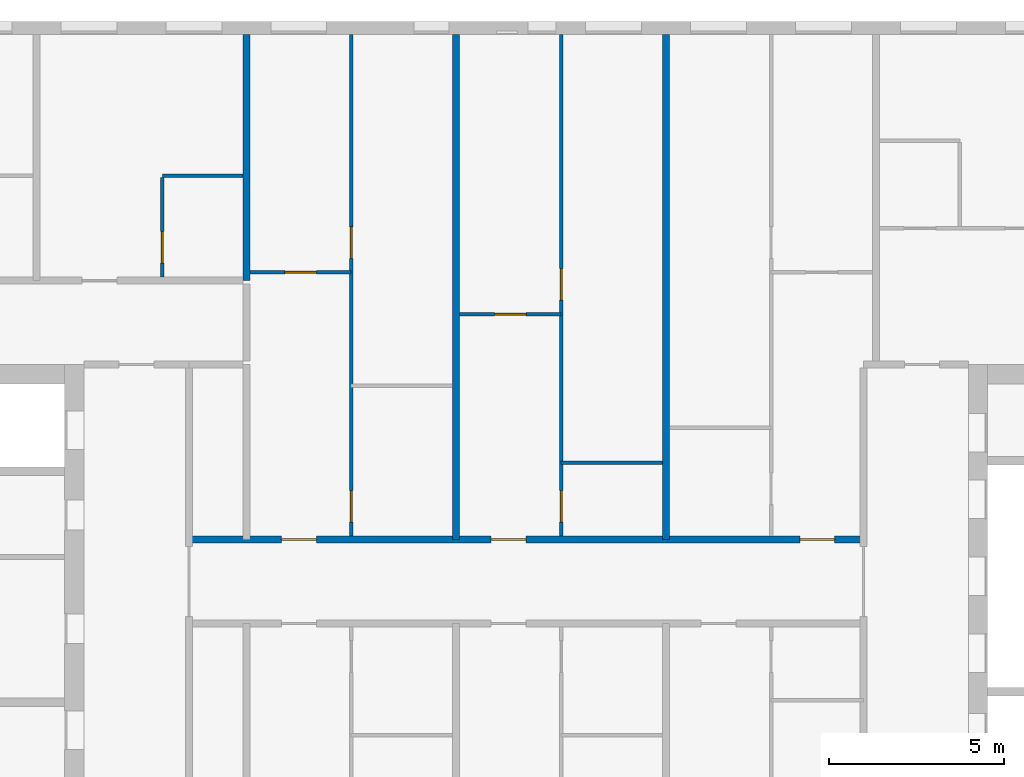
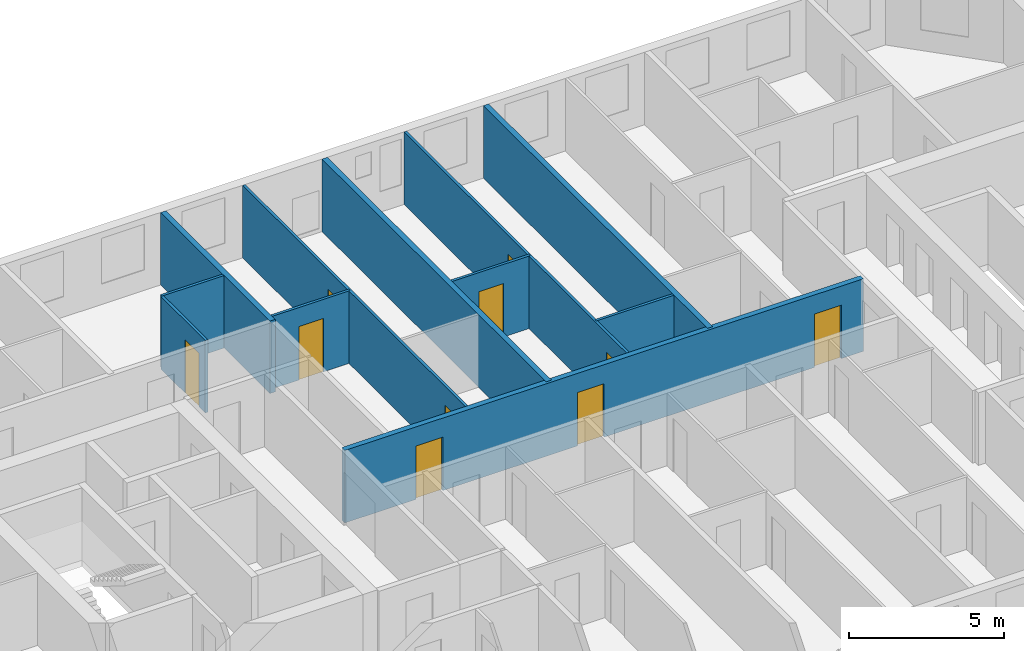
# One storey, part 5 of 16: 11 walls, 10 doors, 10 openings.
"""IFC4 building model written with IfcOpenShell, lengths in metres."""

from ifc_helpers import new_model, si_unit, direction, frame, frame_2d, origin, place, context, subcontext, project, spatial, rectangle, extrude, material, layer, layer_set, type_object, element, fill, save


model = new_model("IFC4")

# Units and contexts
model_context = context("Model", 3, precision=1e-05, world=origin(), true_north=direction((0.0, 1.0)))
body_context = subcontext(model_context, "Body", "Model", "MODEL_VIEW")
ifc_project = project(units=[si_unit("LENGTHUNIT", "METRE"), si_unit("AREAUNIT", "SQUARE_METRE"), si_unit("VOLUMEUNIT", "CUBIC_METRE"), si_unit("PLANEANGLEUNIT", "RADIAN"), si_unit("MASSUNIT", "GRAM", prefix="KILO")], contexts=[model_context])

# Site, building, storey
site_placement = place(None, origin())
site = spatial("IfcSite", under=ifc_project, at=site_placement, CompositionType="ELEMENT")
building_placement = place(site_placement, origin())
building = spatial("IfcBuilding", under=site, at=building_placement, Name="Tuart Gate Housing", CompositionType="ELEMENT")
storey_placement = place(building_placement, frame((0.0, 0.0, 139.199951171875)))
storey = spatial("IfcBuildingStorey", under=building, at=storey_placement, Name="L39", CompositionType="ELEMENT", Elevation=139.199951171875)

# Wall, openings, doors
ifc_material_1 = material(Name="Concrete masonry 15 MPa", Category="masonry")
ifc_layer_1 = layer(ifc_material_1, 0.199951171875)
ifc_layer_set_1 = layer_set([ifc_layer_1], Name="Corridor wall masonry 200")
wall_type_1 = type_object("IfcWallType", Name="Corridor wall masonry 200", PredefinedType="PARTITIONING", material=ifc_layer_set_1)
wall_1_placement = place(storey_placement, frame((44.360107421875, 71.199951171875, 0.0), z_axis=(0.0, 0.0, 1.0), x_axis=(1.0, 0.0, 0.0)))
wall_1 = element("IfcWall", 1, at=wall_1_placement, inside=storey, type_object=wall_type_1, Name="Corridor wall masonry 200", PredefinedType="PARTITIONING", context=body_context, shape_type="SweptSolid", body=[
    extrude(rectangle(XDim=19.27978515625, YDim=0.199951171875, at=frame_2d((9.639892578125, 0.0))), origin(), (0.0, 0.0, 1.0), 2.85009765625),
])
opening_1_placement = place(wall_1_placement, frame((17.4599609375, 0.0, 0.0)))
opening_1 = element("IfcOpeningElement", 2, at=opening_1_placement, cuts=wall_1, Name="Opening D1425", PredefinedType="OPENING", context=body_context, shape_type="SweptSolid", body=[
    extrude(rectangle(XDim=1.0, YDim=2.10009765625, at=frame_2d((0.5, 1.050048828125))), frame((0.0, 0.10986328125, 0.0), z_axis=(0.0, -1.0, 0.0), x_axis=(1.0, 0.0, 0.0)), (0.0, 0.0, 1.0), 0.219970703125),
])
opening_2_placement = place(wall_1_placement, frame((8.639892578125, 0.0, 0.0)))
opening_2 = element("IfcOpeningElement", 3, at=opening_2_placement, cuts=wall_1, Name="Opening D1426", PredefinedType="OPENING", context=body_context, shape_type="SweptSolid", body=[
    extrude(rectangle(XDim=1.0, YDim=2.10009765625, at=frame_2d((0.5, 1.050048828125))), frame((0.0, 0.10986328125, 0.0), z_axis=(0.0, -1.0, 0.0), x_axis=(1.0, 0.0, 0.0)), (0.0, 0.0, 1.0), 0.219970703125),
])
opening_3_placement = place(wall_1_placement, frame((2.639892578125, 0.0, 0.0)))
opening_3 = element("IfcOpeningElement", 4, at=opening_3_placement, cuts=wall_1, Name="Opening D1427", PredefinedType="OPENING", context=body_context, shape_type="SweptSolid", body=[
    extrude(rectangle(XDim=1.0, YDim=2.10009765625, at=frame_2d((0.5, 1.050048828125))), frame((0.0, 0.10986328125, 0.0), z_axis=(0.0, -1.0, 0.0), x_axis=(1.0, 0.0, 0.0)), (0.0, 0.0, 1.0), 0.219970703125),
])
ifc_material_2 = material(Name="Timber door leaf in steel frame", Category="steel")
door_type_1 = type_object("IfcDoorType", Name="Flat entrance door 1000", OperationType="SINGLE_SWING_LEFT", PredefinedType="DOOR", material=ifc_material_2)
door_1_placement = place(opening_1_placement, origin())
door_1 = element("IfcDoor", 5, at=door_1_placement, inside=storey, type_object=door_type_1, Name="Flat entrance door", OperationType="SINGLE_SWING_LEFT", OverallHeight=2.10009765625, OverallWidth=1.0, PredefinedType="DOOR", context=body_context, shape_type="SweptSolid", body=[
    extrude(rectangle(XDim=1.0, YDim=2.10009765625, at=frame_2d((0.5, 1.050048828125))), frame((0.0, 0.02490234375, 0.0), z_axis=(0.0, -1.0, 0.0), x_axis=(1.0, 0.0, 0.0)), (0.0, 0.0, 1.0), 0.050048828125),
])
fill(opening_1, door_1)
door_2_placement = place(opening_2_placement, origin())
door_2 = element("IfcDoor", 6, at=door_2_placement, inside=storey, type_object=door_type_1, Name="Flat entrance door", OperationType="SINGLE_SWING_LEFT", OverallHeight=2.10009765625, OverallWidth=1.0, PredefinedType="DOOR", context=body_context, shape_type="SweptSolid", body=[
    extrude(rectangle(XDim=1.0, YDim=2.10009765625, at=frame_2d((0.5, 1.050048828125))), frame((0.0, 0.02490234375, 0.0), z_axis=(0.0, -1.0, 0.0), x_axis=(1.0, 0.0, 0.0)), (0.0, 0.0, 1.0), 0.050048828125),
])
fill(opening_2, door_2)
door_3_placement = place(opening_3_placement, origin())
door_3 = element("IfcDoor", 7, at=door_3_placement, inside=storey, type_object=door_type_1, Name="Flat entrance door", OperationType="SINGLE_SWING_LEFT", OverallHeight=2.10009765625, OverallWidth=1.0, PredefinedType="DOOR", context=body_context, shape_type="SweptSolid", body=[
    extrude(rectangle(XDim=1.0, YDim=2.10009765625, at=frame_2d((0.5, 1.050048828125))), frame((0.0, 0.02490234375, 0.0), z_axis=(0.0, -1.0, 0.0), x_axis=(1.0, 0.0, 0.0)), (0.0, 0.0, 1.0), 0.050048828125),
])
fill(opening_3, door_3)

# Wall
ifc_material_3 = material(Name="Gypsum board on steel studs", Category="steel")
ifc_layer_2 = layer(ifc_material_3, 0.10009765625)
ifc_layer_set_2 = layer_set([ifc_layer_2], Name="Partition 100")
wall_type_2 = type_object("IfcWallType", Name="Partition 100", PredefinedType="PARTITIONING", material=ifc_layer_set_2)
wall_2_placement = place(storey_placement, frame((55.0, 73.39990234375, 0.0), z_axis=(0.0, 0.0, 1.0), x_axis=(1.0, 0.0, 0.0)))
element("IfcWall", 8, at=wall_2_placement, inside=storey, type_object=wall_type_2, Name="Partition 100", PredefinedType="PARTITIONING", context=body_context, shape_type="SweptSolid", body=[
    extrude(rectangle(XDim=2.89990234375, YDim=0.10009765625, at=frame_2d((1.449951171875, 0.0))), origin(), (0.0, 0.0, 1.0), 2.85009765625),
])

# Wall, opening, door
wall_3_placement = place(storey_placement, frame((52.10009765625, 77.639892578125, 0.0), z_axis=(0.0, 0.0, 1.0), x_axis=(1.0, 0.0, 0.0)))
wall_3 = element("IfcWall", 9, at=wall_3_placement, inside=storey, type_object=wall_type_2, Name="Partition 100", PredefinedType="PARTITIONING", context=body_context, shape_type="SweptSolid", body=[
    extrude(rectangle(XDim=2.89990234375, YDim=0.10009765625, at=frame_2d((1.449951171875, 0.0))), origin(), (0.0, 0.0, 1.0), 2.85009765625),
])
opening_4_placement = place(wall_3_placement, frame((1.0, 0.0, 0.0)))
opening_4 = element("IfcOpeningElement", 10, at=opening_4_placement, cuts=wall_3, Name="Opening D1420", PredefinedType="OPENING", context=body_context, shape_type="SweptSolid", body=[
    extrude(rectangle(XDim=0.89990234375, YDim=2.10009765625, at=frame_2d((0.449951171875, 1.050048828125))), frame((0.0, 0.06005859375, 0.0), z_axis=(0.0, -1.0, 0.0), x_axis=(1.0, 0.0, 0.0)), (0.0, 0.0, 1.0), 0.1201171875),
])
ifc_material_4 = material(Name="Timber door leaf in steel frame", Category="steel")
door_type_2 = type_object("IfcDoorType", Name="Internal door 900", OperationType="SINGLE_SWING_LEFT", PredefinedType="DOOR", material=ifc_material_4)
door_4_placement = place(opening_4_placement, frame((0.89990234375, 0.0, 0.0), z_axis=(0.0, 0.0, 1.0), x_axis=(-1.0, 0.0, 0.0)))
door_4 = element("IfcDoor", 11, at=door_4_placement, inside=storey, type_object=door_type_2, Name="Internal door", OperationType="SINGLE_SWING_LEFT", OverallHeight=2.10009765625, OverallWidth=0.89990234375, PredefinedType="DOOR", context=body_context, shape_type="SweptSolid", body=[
    extrude(rectangle(XDim=0.89990234375, YDim=2.10009765625, at=frame_2d((0.449951171875, 1.050048828125))), frame((0.0, 0.025146484375, 0.0), z_axis=(0.0, -1.0, 0.0), x_axis=(1.0, 0.0, 0.0)), (0.0, 0.0, 1.0), 0.050048828125),
])
fill(opening_4, door_4)

wall_4_placement = place(storey_placement, frame((46.10009765625, 78.840087890625, 0.0), z_axis=(0.0, 0.0, 1.0), x_axis=(1.0, 0.0, 0.0)))
wall_4 = element("IfcWall", 12, at=wall_4_placement, inside=storey, type_object=wall_type_2, Name="Partition 100", PredefinedType="PARTITIONING", context=body_context, shape_type="SweptSolid", body=[
    extrude(rectangle(XDim=2.89990234375, YDim=0.10009765625, at=frame_2d((1.449951171875, 0.0))), origin(), (0.0, 0.0, 1.0), 2.85009765625),
])
opening_5_placement = place(wall_4_placement, frame((1.0, 0.0, 0.0)))
opening_5 = element("IfcOpeningElement", 13, at=opening_5_placement, cuts=wall_4, Name="Opening D1409", PredefinedType="OPENING", context=body_context, shape_type="SweptSolid", body=[
    extrude(rectangle(XDim=0.89990234375, YDim=2.10009765625, at=frame_2d((0.449951171875, 1.050048828125))), frame((0.0, 0.06005859375, 0.0), z_axis=(0.0, -1.0, 0.0), x_axis=(1.0, 0.0, 0.0)), (0.0, 0.0, 1.0), 0.1201171875),
])
door_5_placement = place(opening_5_placement, frame((0.89990234375, 0.0, 0.0), z_axis=(0.0, 0.0, 1.0), x_axis=(-1.0, 0.0, 0.0)))
door_5 = element("IfcDoor", 14, at=door_5_placement, inside=storey, type_object=door_type_2, Name="Internal door", OperationType="SINGLE_SWING_LEFT", OverallHeight=2.10009765625, OverallWidth=0.89990234375, PredefinedType="DOOR", context=body_context, shape_type="SweptSolid", body=[
    extrude(rectangle(XDim=0.89990234375, YDim=2.10009765625, at=frame_2d((0.449951171875, 1.050048828125))), frame((0.0, 0.025146484375, 0.0), z_axis=(0.0, -1.0, 0.0), x_axis=(1.0, 0.0, 0.0)), (0.0, 0.0, 1.0), 0.050048828125),
])
fill(opening_5, door_5)

# Wall
wall_5_placement = place(storey_placement, frame((43.60009765625, 81.60009765625, 0.0), z_axis=(0.0, 0.0, 1.0), x_axis=(1.0, 0.0, 0.0)))
element("IfcWall", 15, at=wall_5_placement, inside=storey, type_object=wall_type_2, Name="Partition 100", PredefinedType="PARTITIONING", context=body_context, shape_type="SweptSolid", body=[
    extrude(rectangle(XDim=2.2998046875, YDim=0.10009765625, at=frame_2d((1.14990234375, 0.0))), origin(), (0.0, 0.0, 1.0), 2.85009765625),
])

# Wall, opening, door
wall_6_placement = place(storey_placement, frame((43.60009765625, 78.699951171875, 0.0), z_axis=(0.0, 0.0, 1.0), x_axis=(0.0, 1.0, 0.0)))
wall_6 = element("IfcWall", 16, at=wall_6_placement, inside=storey, type_object=wall_type_2, Name="Partition 100", PredefinedType="PARTITIONING", context=body_context, shape_type="SweptSolid", body=[
    extrude(rectangle(XDim=2.85009765625, YDim=0.10009765625, at=frame_2d((1.425048828125, 0.0))), origin(), (0.0, 0.0, 1.0), 2.85009765625),
])
opening_6_placement = place(wall_6_placement, frame((0.39990234375, 0.0, 0.0)))
opening_6 = element("IfcOpeningElement", 17, at=opening_6_placement, cuts=wall_6, Name="Opening D1406", PredefinedType="OPENING", context=body_context, shape_type="SweptSolid", body=[
    extrude(rectangle(XDim=0.89990234375, YDim=2.10009765625, at=frame_2d((0.449951171875, 1.050048828125))), frame((0.0, 0.06005859375, 0.0), z_axis=(0.0, -1.0, 0.0), x_axis=(1.0, 0.0, 0.0)), (0.0, 0.0, 1.0), 0.1201171875),
])
ifc_material_5 = material(Name="Timber door leaf in steel frame", Category="steel")
door_type_3 = type_object("IfcDoorType", Name="Bathroom door 900 RH", OperationType="SINGLE_SWING_RIGHT", PredefinedType="DOOR", material=ifc_material_5)
door_6_placement = place(opening_6_placement, frame((0.89990234375, 0.0, 0.0), z_axis=(0.0, 0.0, 1.0), x_axis=(-1.0, 0.0, 0.0)))
door_6 = element("IfcDoor", 18, at=door_6_placement, inside=storey, type_object=door_type_3, Name="Bathroom door", OperationType="SINGLE_SWING_RIGHT", OverallHeight=2.10009765625, OverallWidth=0.89990234375, PredefinedType="DOOR", context=body_context, shape_type="SweptSolid", body=[
    extrude(rectangle(XDim=0.89990234375, YDim=2.10009765625, at=frame_2d((0.449951171875, 1.050048828125))), frame((0.0, 0.025146484375, 0.0), z_axis=(0.0, -1.0, 0.0), x_axis=(1.0, 0.0, 0.0)), (0.0, 0.0, 1.0), 0.050048828125),
])
fill(opening_6, door_6)

# Wall, openings, doors
wall_7_placement = place(storey_placement, frame((49.0, 71.300048828125, 0.0), z_axis=(0.0, 0.0, 1.0), x_axis=(0.0, 1.0, 0.0)))
wall_7 = element("IfcWall", 19, at=wall_7_placement, inside=storey, type_object=wall_type_2, Name="Partition 100", PredefinedType="PARTITIONING", context=body_context, shape_type="SweptSolid", body=[
    extrude(rectangle(XDim=14.33984375, YDim=0.10009765625, at=frame_2d((7.169921875, 0.0))), origin(), (0.0, 0.0, 1.0), 2.85009765625),
])
opening_7_placement = place(wall_7_placement, frame((7.93994140625, 0.0, 0.0)))
opening_7 = element("IfcOpeningElement", 20, at=opening_7_placement, cuts=wall_7, Name="Opening D1415", PredefinedType="OPENING", context=body_context, shape_type="SweptSolid", body=[
    extrude(rectangle(XDim=0.89990234375, YDim=2.10009765625, at=frame_2d((0.449951171875, 1.050048828125))), frame((0.0, 0.06005859375, 0.0), z_axis=(0.0, -1.0, 0.0), x_axis=(1.0, 0.0, 0.0)), (0.0, 0.0, 1.0), 0.1201171875),
])
opening_8_placement = place(wall_7_placement, frame((0.39990234375, 0.0, 0.0)))
opening_8 = element("IfcOpeningElement", 21, at=opening_8_placement, cuts=wall_7, Name="Opening D1414", PredefinedType="OPENING", context=body_context, shape_type="SweptSolid", body=[
    extrude(rectangle(XDim=0.89990234375, YDim=2.10009765625, at=frame_2d((0.449951171875, 1.050048828125))), frame((0.0, 0.06005859375, 0.0), z_axis=(0.0, -1.0, 0.0), x_axis=(1.0, 0.0, 0.0)), (0.0, 0.0, 1.0), 0.1201171875),
])
door_7_placement = place(opening_8_placement, frame((0.89990234375, 0.0, 0.0), z_axis=(0.0, 0.0, 1.0), x_axis=(-1.0, 0.0, 0.0)))
door_7 = element("IfcDoor", 22, at=door_7_placement, inside=storey, type_object=door_type_3, Name="Bathroom door", OperationType="SINGLE_SWING_RIGHT", OverallHeight=2.10009765625, OverallWidth=0.89990234375, PredefinedType="DOOR", context=body_context, shape_type="SweptSolid", body=[
    extrude(rectangle(XDim=0.89990234375, YDim=2.10009765625, at=frame_2d((0.449951171875, 1.050048828125))), frame((0.0, 0.025146484375, 0.0), z_axis=(0.0, -1.0, 0.0), x_axis=(1.0, 0.0, 0.0)), (0.0, 0.0, 1.0), 0.050048828125),
])
fill(opening_8, door_7)
ifc_material_6 = material(Name="Timber door leaf in steel frame", Category="steel")
door_type_4 = type_object("IfcDoorType", Name="Internal door 900 RH", OperationType="SINGLE_SWING_RIGHT", PredefinedType="DOOR", material=ifc_material_6)
door_8_placement = place(opening_7_placement, frame((0.89990234375, 0.0, 0.0), z_axis=(0.0, 0.0, 1.0), x_axis=(-1.0, 0.0, 0.0)))
door_8 = element("IfcDoor", 23, at=door_8_placement, inside=storey, type_object=door_type_4, Name="Internal door", OperationType="SINGLE_SWING_RIGHT", OverallHeight=2.10009765625, OverallWidth=0.89990234375, PredefinedType="DOOR", context=body_context, shape_type="SweptSolid", body=[
    extrude(rectangle(XDim=0.89990234375, YDim=2.10009765625, at=frame_2d((0.449951171875, 1.050048828125))), frame((0.0, 0.025146484375, 0.0), z_axis=(0.0, -1.0, 0.0), x_axis=(1.0, 0.0, 0.0)), (0.0, 0.0, 1.0), 0.050048828125),
])
fill(opening_7, door_8)

wall_8_placement = place(storey_placement, frame((55.0, 71.300048828125, 0.0), z_axis=(0.0, 0.0, 1.0), x_axis=(0.0, 1.0, 0.0)))
wall_8 = element("IfcWall", 24, at=wall_8_placement, inside=storey, type_object=wall_type_2, Name="Partition 100", PredefinedType="PARTITIONING", context=body_context, shape_type="SweptSolid", body=[
    extrude(rectangle(XDim=14.33984375, YDim=0.10009765625, at=frame_2d((7.169921875, 0.0))), origin(), (0.0, 0.0, 1.0), 2.85009765625),
])
opening_9_placement = place(wall_8_placement, frame((6.739990234375, 0.0, 0.0)))
opening_9 = element("IfcOpeningElement", 25, at=opening_9_placement, cuts=wall_8, Name="Opening D1417", PredefinedType="OPENING", context=body_context, shape_type="SweptSolid", body=[
    extrude(rectangle(XDim=0.89990234375, YDim=2.10009765625, at=frame_2d((0.449951171875, 1.050048828125))), frame((0.0, 0.06005859375, 0.0), z_axis=(0.0, -1.0, 0.0), x_axis=(1.0, 0.0, 0.0)), (0.0, 0.0, 1.0), 0.1201171875),
])
opening_10_placement = place(wall_8_placement, frame((0.39990234375, 0.0, 0.0)))
opening_10 = element("IfcOpeningElement", 26, at=opening_10_placement, cuts=wall_8, Name="Opening D1416", PredefinedType="OPENING", context=body_context, shape_type="SweptSolid", body=[
    extrude(rectangle(XDim=0.89990234375, YDim=2.10009765625, at=frame_2d((0.449951171875, 1.050048828125))), frame((0.0, 0.06005859375, 0.0), z_axis=(0.0, -1.0, 0.0), x_axis=(1.0, 0.0, 0.0)), (0.0, 0.0, 1.0), 0.1201171875),
])
door_9_placement = place(opening_10_placement, frame((0.89990234375, 0.0, 0.0), z_axis=(0.0, 0.0, 1.0), x_axis=(-1.0, 0.0, 0.0)))
door_9 = element("IfcDoor", 27, at=door_9_placement, inside=storey, type_object=door_type_3, Name="Bathroom door", OperationType="SINGLE_SWING_RIGHT", OverallHeight=2.10009765625, OverallWidth=0.89990234375, PredefinedType="DOOR", context=body_context, shape_type="SweptSolid", body=[
    extrude(rectangle(XDim=0.89990234375, YDim=2.10009765625, at=frame_2d((0.449951171875, 1.050048828125))), frame((0.0, 0.025146484375, 0.0), z_axis=(0.0, -1.0, 0.0), x_axis=(1.0, 0.0, 0.0)), (0.0, 0.0, 1.0), 0.050048828125),
])
fill(opening_10, door_9)
door_10_placement = place(opening_9_placement, frame((0.89990234375, 0.0, 0.0), z_axis=(0.0, 0.0, 1.0), x_axis=(-1.0, 0.0, 0.0)))
door_10 = element("IfcDoor", 28, at=door_10_placement, inside=storey, type_object=door_type_4, Name="Internal door", OperationType="SINGLE_SWING_RIGHT", OverallHeight=2.10009765625, OverallWidth=0.89990234375, PredefinedType="DOOR", context=body_context, shape_type="SweptSolid", body=[
    extrude(rectangle(XDim=0.89990234375, YDim=2.10009765625, at=frame_2d((0.449951171875, 1.050048828125))), frame((0.0, 0.025146484375, 0.0), z_axis=(0.0, -1.0, 0.0), x_axis=(1.0, 0.0, 0.0)), (0.0, 0.0, 1.0), 0.050048828125),
])
fill(opening_9, door_10)

# Walls
ifc_material_7 = material(Name="Concrete C40", Category="concrete")
ifc_layer_3 = layer(ifc_material_7, 0.199951171875)
ifc_layer_set_3 = layer_set([ifc_layer_3], Name="Party wall concrete C40 200")
wall_type_3 = type_object("IfcWallType", Name="Party wall concrete C40 200", PredefinedType="SOLIDWALL", material=ifc_layer_set_3)
wall_9_placement = place(storey_placement, frame((46.0, 78.60009765625, 0.0), z_axis=(0.0, 0.0, 1.0), x_axis=(0.0, 1.0, 0.0)))
element("IfcWall", 29, at=wall_9_placement, inside=storey, type_object=wall_type_3, Name="Party wall concrete C40 200", PredefinedType="SOLIDWALL", context=body_context, shape_type="SweptSolid", body=[
    extrude(rectangle(XDim=7.039794921875, YDim=0.199951171875, at=frame_2d((3.52001953125, 0.0))), origin(), (0.0, 0.0, 1.0), 2.85009765625),
])
for number, where, z_axis, x_axis, name in (
    (30, (52.0, 71.199951171875, 0.0), (0.0, 0.0, 1.0), (0.0, 1.0, 0.0), "Party wall concrete C40 200"),
    (31, (58.0, 71.199951171875, 0.0), (0.0, 0.0, 1.0), (0.0, 1.0, 0.0), "Party wall concrete C40 200"),
):
    element("IfcWall", number, at=place(storey_placement, frame(where, z_axis=z_axis, x_axis=x_axis)), inside=storey, type_object=wall_type_3, Name=name, PredefinedType="SOLIDWALL", context=body_context, shape_type="SweptSolid", body=[
        extrude(rectangle(XDim=14.43994140625, YDim=0.199951171875, at=frame_2d((7.219970703125, 0.0))), origin(), (0.0, 0.0, 1.0), 2.85009765625),
    ])

save(model, "model.ifc")
